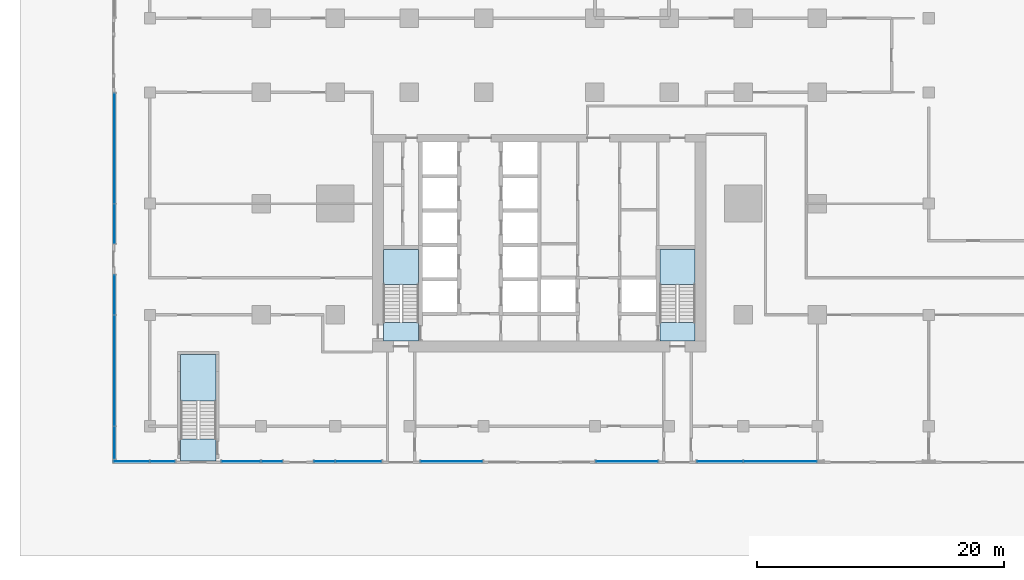
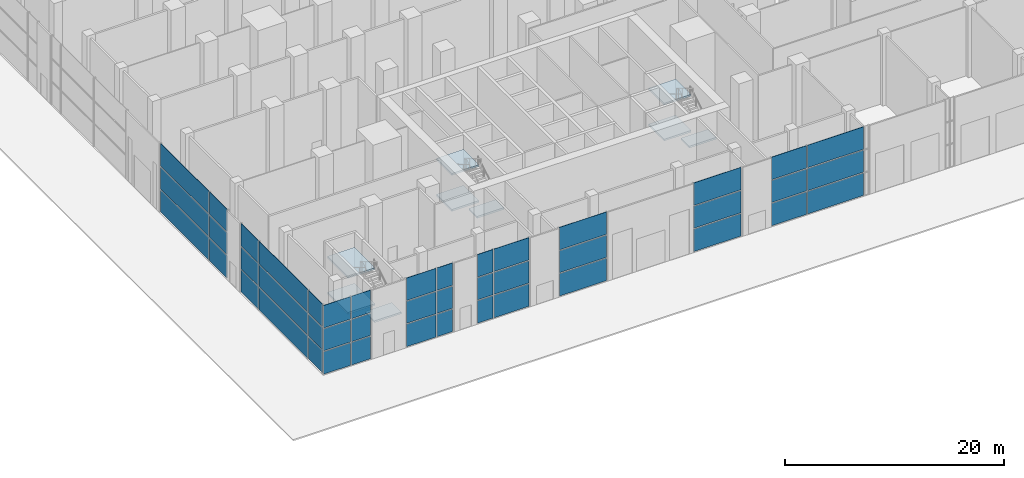
# One storey, part 10 of 29: 45 plates, 9 slabs, 11 elements without a shape of their own.
"""IFC4 building model written with IfcOpenShell, lengths in metres."""

from ifc_helpers import new_model, si_unit, direction, frame, origin, origin_2d, place, context, subcontext, project, spatial, polyline, rectangle, outline, extrude, material, layer, layer_set, type_object, element, aggregate, save


model = new_model("IFC4")

# Units and contexts
model_context = context("Model", 3, precision=1e-05, world=origin(), true_north=direction((0.0, 1.0)))
body_context = subcontext(model_context, "Body", "Model", "MODEL_VIEW")
ifc_project = project(units=[si_unit("LENGTHUNIT", "METRE"), si_unit("AREAUNIT", "SQUARE_METRE"), si_unit("VOLUMEUNIT", "CUBIC_METRE"), si_unit("PLANEANGLEUNIT", "RADIAN"), si_unit("MASSUNIT", "GRAM", prefix="KILO")], contexts=[model_context])

# Site, building, storey
site_placement = place(None, origin())
site = spatial("IfcSite", under=ifc_project, at=site_placement, CompositionType="ELEMENT")
building_placement = place(site_placement, origin())
building = spatial("IfcBuilding", under=site, at=building_placement, Name="Finial Court Residences", CompositionType="ELEMENT")
storey_placement = place(building_placement, origin())
storey = spatial("IfcBuildingStorey", under=building, at=storey_placement, Name="L00", CompositionType="ELEMENT", Elevation=0.0)

# Curtain wall, plates
ifc_material_1 = material(Name="Bronze anodised aluminium", Category="aluminium")
curtain_wall_type = type_object("IfcCurtainWallType", Name="Podium shopfront", PredefinedType="NOTDEFINED", material=ifc_material_1)
curtain_wall_1_placement = place(storey_placement, origin())
curtain_wall_1 = element("IfcCurtainWall", 1, at=curtain_wall_1_placement, inside=storey, type_object=curtain_wall_type, Name="E-L00-CW-S17", PredefinedType="NOTDEFINED")
ifc_material_2 = material(Name="Clear low-e glass", Category="glass")
ifc_layer_1 = layer(ifc_material_2, 0.0400390625)
ifc_layer_set_1 = layer_set([ifc_layer_1], Name="CW4 vision glass 40")
plate_type = type_object("IfcPlateType", Name="CW4 vision glass 40", PredefinedType="CURTAIN_PANEL", material=ifc_layer_set_1)
plate_1_placement = place(storey_placement, frame((-32.97509765625, -34.35009765625, 0.0), z_axis=(0.0, 0.0, 1.0), x_axis=(1.0, 0.0, 0.0)))
plate_1 = element("IfcPlate", 2, at=plate_1_placement, type_object=plate_type, Name="CW4 glass 1.1", PredefinedType="CURTAIN_PANEL", context=body_context, shape_type="SweptSolid", body=[
    extrude(rectangle(XDim=2.85009765625, YDim=0.0400390625, at=origin_2d()), origin(), (0.0, 0.0, 1.0), 2.5),
])
plate_2_placement = place(storey_placement, frame((-32.97509765625, -34.35009765625, 2.60009765625), z_axis=(0.0, 0.0, 1.0), x_axis=(1.0, 0.0, 0.0)))
plate_2 = element("IfcPlate", 3, at=plate_2_placement, type_object=plate_type, Name="CW4 glass 1.2", PredefinedType="CURTAIN_PANEL", context=body_context, shape_type="SweptSolid", body=[
    extrude(rectangle(XDim=2.85009765625, YDim=0.0400390625, at=origin_2d()), origin(), (0.0, 0.0, 1.0), 2.449951171875),
])
plate_3_placement = place(storey_placement, frame((-32.97509765625, -34.35009765625, 5.14990234375), z_axis=(0.0, 0.0, 1.0), x_axis=(1.0, 0.0, 0.0)))
plate_3 = element("IfcPlate", 4, at=plate_3_placement, type_object=plate_type, Name="CW4 glass 1.3", PredefinedType="CURTAIN_PANEL", context=body_context, shape_type="SweptSolid", body=[
    extrude(rectangle(XDim=2.85009765625, YDim=0.0400390625, at=origin_2d()), origin(), (0.0, 0.0, 1.0), 2.5),
])
plate_4_placement = place(storey_placement, frame((-30.46240234375, -34.35009765625, 0.0), z_axis=(0.0, 0.0, 1.0), x_axis=(1.0, 0.0, 0.0)))
plate_4 = element("IfcPlate", 5, at=plate_4_placement, type_object=plate_type, Name="CW4 glass 2.1", PredefinedType="CURTAIN_PANEL", context=body_context, shape_type="SweptSolid", body=[
    extrude(rectangle(XDim=1.97509765625, YDim=0.0400390625, at=origin_2d()), origin(), (0.0, 0.0, 1.0), 2.5),
])
plate_5_placement = place(storey_placement, frame((-30.46240234375, -34.35009765625, 2.60009765625), z_axis=(0.0, 0.0, 1.0), x_axis=(1.0, 0.0, 0.0)))
plate_5 = element("IfcPlate", 6, at=plate_5_placement, type_object=plate_type, Name="CW4 glass 2.2", PredefinedType="CURTAIN_PANEL", context=body_context, shape_type="SweptSolid", body=[
    extrude(rectangle(XDim=1.97509765625, YDim=0.0400390625, at=origin_2d()), origin(), (0.0, 0.0, 1.0), 2.449951171875),
])
plate_6_placement = place(storey_placement, frame((-30.46240234375, -34.35009765625, 5.14990234375), z_axis=(0.0, 0.0, 1.0), x_axis=(1.0, 0.0, 0.0)))
plate_6 = element("IfcPlate", 7, at=plate_6_placement, type_object=plate_type, Name="CW4 glass 2.3", PredefinedType="CURTAIN_PANEL", context=body_context, shape_type="SweptSolid", body=[
    extrude(rectangle(XDim=1.97509765625, YDim=0.0400390625, at=origin_2d()), origin(), (0.0, 0.0, 1.0), 2.5),
])
aggregate(curtain_wall_1, [plate_1, plate_2, plate_3, plate_4, plate_5, plate_6])

curtain_wall_2_placement = place(storey_placement, origin())
curtain_wall_2 = element("IfcCurtainWall", 8, at=curtain_wall_2_placement, inside=storey, type_object=curtain_wall_type, Name="E-L00-CW-S18", PredefinedType="NOTDEFINED")
plate_7_placement = place(storey_placement, frame((-24.112548828125, -34.35009765625, 0.0), z_axis=(0.0, 0.0, 1.0), x_axis=(1.0, 0.0, 0.0)))
plate_7 = element("IfcPlate", 9, at=plate_7_placement, type_object=plate_type, Name="CW4 glass 1.1", PredefinedType="CURTAIN_PANEL", context=body_context, shape_type="SweptSolid", body=[
    extrude(rectangle(XDim=3.125, YDim=0.0400390625, at=origin_2d()), origin(), (0.0, 0.0, 1.0), 2.5),
])
plate_8_placement = place(storey_placement, frame((-24.112548828125, -34.35009765625, 2.60009765625), z_axis=(0.0, 0.0, 1.0), x_axis=(1.0, 0.0, 0.0)))
plate_8 = element("IfcPlate", 10, at=plate_8_placement, type_object=plate_type, Name="CW4 glass 1.2", PredefinedType="CURTAIN_PANEL", context=body_context, shape_type="SweptSolid", body=[
    extrude(rectangle(XDim=3.125, YDim=0.0400390625, at=origin_2d()), origin(), (0.0, 0.0, 1.0), 2.449951171875),
])
plate_9_placement = place(storey_placement, frame((-24.112548828125, -34.35009765625, 5.14990234375), z_axis=(0.0, 0.0, 1.0), x_axis=(1.0, 0.0, 0.0)))
plate_9 = element("IfcPlate", 11, at=plate_9_placement, type_object=plate_type, Name="CW4 glass 1.3", PredefinedType="CURTAIN_PANEL", context=body_context, shape_type="SweptSolid", body=[
    extrude(rectangle(XDim=3.125, YDim=0.0400390625, at=origin_2d()), origin(), (0.0, 0.0, 1.0), 2.5),
])
plate_10_placement = place(storey_placement, frame((-21.625, -34.35009765625, 0.0), z_axis=(0.0, 0.0, 1.0), x_axis=(1.0, 0.0, 0.0)))
plate_10 = element("IfcPlate", 12, at=plate_10_placement, type_object=plate_type, Name="CW4 glass 2.1", PredefinedType="CURTAIN_PANEL", context=body_context, shape_type="SweptSolid", body=[
    extrude(rectangle(XDim=1.64990234375, YDim=0.0400390625, at=origin_2d()), origin(), (0.0, 0.0, 1.0), 2.5),
])
plate_11_placement = place(storey_placement, frame((-21.625, -34.35009765625, 2.60009765625), z_axis=(0.0, 0.0, 1.0), x_axis=(1.0, 0.0, 0.0)))
plate_11 = element("IfcPlate", 13, at=plate_11_placement, type_object=plate_type, Name="CW4 glass 2.2", PredefinedType="CURTAIN_PANEL", context=body_context, shape_type="SweptSolid", body=[
    extrude(rectangle(XDim=1.64990234375, YDim=0.0400390625, at=origin_2d()), origin(), (0.0, 0.0, 1.0), 2.449951171875),
])
plate_12_placement = place(storey_placement, frame((-21.625, -34.35009765625, 5.14990234375), z_axis=(0.0, 0.0, 1.0), x_axis=(1.0, 0.0, 0.0)))
plate_12 = element("IfcPlate", 14, at=plate_12_placement, type_object=plate_type, Name="CW4 glass 2.3", PredefinedType="CURTAIN_PANEL", context=body_context, shape_type="SweptSolid", body=[
    extrude(rectangle(XDim=1.64990234375, YDim=0.0400390625, at=origin_2d()), origin(), (0.0, 0.0, 1.0), 2.5),
])
aggregate(curtain_wall_2, [plate_7, plate_8, plate_9, plate_10, plate_11, plate_12])

curtain_wall_3_placement = place(storey_placement, origin())
curtain_wall_3 = element("IfcCurtainWall", 15, at=curtain_wall_3_placement, inside=storey, type_object=curtain_wall_type, Name="E-L00-CW-S19", PredefinedType="NOTDEFINED")
plate_13_placement = place(storey_placement, frame((-17.375, -34.35009765625, 0.0), z_axis=(0.0, 0.0, 1.0), x_axis=(1.0, 0.0, 0.0)))
plate_13 = element("IfcPlate", 16, at=plate_13_placement, type_object=plate_type, Name="CW4 glass 1.1", PredefinedType="CURTAIN_PANEL", context=body_context, shape_type="SweptSolid", body=[
    extrude(rectangle(XDim=1.64990234375, YDim=0.0400390625, at=origin_2d()), origin(), (0.0, 0.0, 1.0), 2.5),
])
plate_14_placement = place(storey_placement, frame((-17.375, -34.35009765625, 2.60009765625), z_axis=(0.0, 0.0, 1.0), x_axis=(1.0, 0.0, 0.0)))
plate_14 = element("IfcPlate", 17, at=plate_14_placement, type_object=plate_type, Name="CW4 glass 1.2", PredefinedType="CURTAIN_PANEL", context=body_context, shape_type="SweptSolid", body=[
    extrude(rectangle(XDim=1.64990234375, YDim=0.0400390625, at=origin_2d()), origin(), (0.0, 0.0, 1.0), 2.449951171875),
])
plate_15_placement = place(storey_placement, frame((-17.375, -34.35009765625, 5.14990234375), z_axis=(0.0, 0.0, 1.0), x_axis=(1.0, 0.0, 0.0)))
plate_15 = element("IfcPlate", 18, at=plate_15_placement, type_object=plate_type, Name="CW4 glass 1.3", PredefinedType="CURTAIN_PANEL", context=body_context, shape_type="SweptSolid", body=[
    extrude(rectangle(XDim=1.64990234375, YDim=0.0400390625, at=origin_2d()), origin(), (0.0, 0.0, 1.0), 2.5),
])
plate_16_placement = place(storey_placement, frame((-14.612548828125, -34.35009765625, 0.0), z_axis=(0.0, 0.0, 1.0), x_axis=(1.0, 0.0, 0.0)))
plate_16 = element("IfcPlate", 19, at=plate_16_placement, type_object=plate_type, Name="CW4 glass 2.1", PredefinedType="CURTAIN_PANEL", context=body_context, shape_type="SweptSolid", body=[
    extrude(rectangle(XDim=3.675048828125, YDim=0.0400390625, at=origin_2d()), origin(), (0.0, 0.0, 1.0), 2.5),
])
plate_17_placement = place(storey_placement, frame((-14.612548828125, -34.35009765625, 2.60009765625), z_axis=(0.0, 0.0, 1.0), x_axis=(1.0, 0.0, 0.0)))
plate_17 = element("IfcPlate", 20, at=plate_17_placement, type_object=plate_type, Name="CW4 glass 2.2", PredefinedType="CURTAIN_PANEL", context=body_context, shape_type="SweptSolid", body=[
    extrude(rectangle(XDim=3.675048828125, YDim=0.0400390625, at=origin_2d()), origin(), (0.0, 0.0, 1.0), 2.449951171875),
])
plate_18_placement = place(storey_placement, frame((-14.612548828125, -34.35009765625, 5.14990234375), z_axis=(0.0, 0.0, 1.0), x_axis=(1.0, 0.0, 0.0)))
plate_18 = element("IfcPlate", 21, at=plate_18_placement, type_object=plate_type, Name="CW4 glass 2.3", PredefinedType="CURTAIN_PANEL", context=body_context, shape_type="SweptSolid", body=[
    extrude(rectangle(XDim=3.675048828125, YDim=0.0400390625, at=origin_2d()), origin(), (0.0, 0.0, 1.0), 2.5),
])
aggregate(curtain_wall_3, [plate_13, plate_14, plate_15, plate_16, plate_17, plate_18])

curtain_wall_4_placement = place(storey_placement, origin())
curtain_wall_4 = element("IfcCurtainWall", 22, at=curtain_wall_4_placement, inside=storey, type_object=curtain_wall_type, Name="E-L00-CW-S20", PredefinedType="NOTDEFINED")
plate_19_placement = place(storey_placement, frame((-7.08740234375, -34.35009765625, 0.0), z_axis=(0.0, 0.0, 1.0), x_axis=(1.0, 0.0, 0.0)))
plate_19 = element("IfcPlate", 23, at=plate_19_placement, type_object=plate_type, Name="CW4 glass 1.1", PredefinedType="CURTAIN_PANEL", context=body_context, shape_type="SweptSolid", body=[
    extrude(rectangle(XDim=4.97509765625, YDim=0.0400390625, at=origin_2d()), origin(), (0.0, 0.0, 1.0), 2.5),
])
plate_20_placement = place(storey_placement, frame((-7.08740234375, -34.35009765625, 2.60009765625), z_axis=(0.0, 0.0, 1.0), x_axis=(1.0, 0.0, 0.0)))
plate_20 = element("IfcPlate", 24, at=plate_20_placement, type_object=plate_type, Name="CW4 glass 1.2", PredefinedType="CURTAIN_PANEL", context=body_context, shape_type="SweptSolid", body=[
    extrude(rectangle(XDim=4.97509765625, YDim=0.0400390625, at=origin_2d()), origin(), (0.0, 0.0, 1.0), 2.449951171875),
])
plate_21_placement = place(storey_placement, frame((-7.08740234375, -34.35009765625, 5.14990234375), z_axis=(0.0, 0.0, 1.0), x_axis=(1.0, 0.0, 0.0)))
plate_21 = element("IfcPlate", 25, at=plate_21_placement, type_object=plate_type, Name="CW4 glass 1.3", PredefinedType="CURTAIN_PANEL", context=body_context, shape_type="SweptSolid", body=[
    extrude(rectangle(XDim=4.97509765625, YDim=0.0400390625, at=origin_2d()), origin(), (0.0, 0.0, 1.0), 2.5),
])
aggregate(curtain_wall_4, [plate_19, plate_20, plate_21])

curtain_wall_5_placement = place(storey_placement, origin())
curtain_wall_5 = element("IfcCurtainWall", 26, at=curtain_wall_5_placement, inside=storey, type_object=curtain_wall_type, Name="E-L00-CW-S21", PredefinedType="NOTDEFINED")
plate_22_placement = place(storey_placement, frame((7.08740234375, -34.35009765625, 0.0), z_axis=(0.0, 0.0, 1.0), x_axis=(1.0, 0.0, 0.0)))
plate_22 = element("IfcPlate", 27, at=plate_22_placement, type_object=plate_type, Name="CW4 glass 1.1", PredefinedType="CURTAIN_PANEL", context=body_context, shape_type="SweptSolid", body=[
    extrude(rectangle(XDim=4.97509765625, YDim=0.0400390625, at=origin_2d()), origin(), (0.0, 0.0, 1.0), 2.5),
])
plate_23_placement = place(storey_placement, frame((7.08740234375, -34.35009765625, 2.60009765625), z_axis=(0.0, 0.0, 1.0), x_axis=(1.0, 0.0, 0.0)))
plate_23 = element("IfcPlate", 28, at=plate_23_placement, type_object=plate_type, Name="CW4 glass 1.2", PredefinedType="CURTAIN_PANEL", context=body_context, shape_type="SweptSolid", body=[
    extrude(rectangle(XDim=4.97509765625, YDim=0.0400390625, at=origin_2d()), origin(), (0.0, 0.0, 1.0), 2.449951171875),
])
plate_24_placement = place(storey_placement, frame((7.08740234375, -34.35009765625, 5.14990234375), z_axis=(0.0, 0.0, 1.0), x_axis=(1.0, 0.0, 0.0)))
plate_24 = element("IfcPlate", 29, at=plate_24_placement, type_object=plate_type, Name="CW4 glass 1.3", PredefinedType="CURTAIN_PANEL", context=body_context, shape_type="SweptSolid", body=[
    extrude(rectangle(XDim=4.97509765625, YDim=0.0400390625, at=origin_2d()), origin(), (0.0, 0.0, 1.0), 2.5),
])
aggregate(curtain_wall_5, [plate_22, plate_23, plate_24])

curtain_wall_6_placement = place(storey_placement, origin())
curtain_wall_6 = element("IfcCurtainWall", 30, at=curtain_wall_6_placement, inside=storey, type_object=curtain_wall_type, Name="E-L00-CW-S22", PredefinedType="NOTDEFINED")
plate_25_placement = place(storey_placement, frame((14.612548828125, -34.35009765625, 0.0), z_axis=(0.0, 0.0, 1.0), x_axis=(1.0, 0.0, 0.0)))
plate_25 = element("IfcPlate", 31, at=plate_25_placement, type_object=plate_type, Name="CW4 glass 1.1", PredefinedType="CURTAIN_PANEL", context=body_context, shape_type="SweptSolid", body=[
    extrude(rectangle(XDim=3.675048828125, YDim=0.0400390625, at=origin_2d()), origin(), (0.0, 0.0, 1.0), 2.5),
])
plate_26_placement = place(storey_placement, frame((14.612548828125, -34.35009765625, 2.60009765625), z_axis=(0.0, 0.0, 1.0), x_axis=(1.0, 0.0, 0.0)))
plate_26 = element("IfcPlate", 32, at=plate_26_placement, type_object=plate_type, Name="CW4 glass 1.2", PredefinedType="CURTAIN_PANEL", context=body_context, shape_type="SweptSolid", body=[
    extrude(rectangle(XDim=3.675048828125, YDim=0.0400390625, at=origin_2d()), origin(), (0.0, 0.0, 1.0), 2.449951171875),
])
plate_27_placement = place(storey_placement, frame((14.612548828125, -34.35009765625, 5.14990234375), z_axis=(0.0, 0.0, 1.0), x_axis=(1.0, 0.0, 0.0)))
plate_27 = element("IfcPlate", 33, at=plate_27_placement, type_object=plate_type, Name="CW4 glass 1.3", PredefinedType="CURTAIN_PANEL", context=body_context, shape_type="SweptSolid", body=[
    extrude(rectangle(XDim=3.675048828125, YDim=0.0400390625, at=origin_2d()), origin(), (0.0, 0.0, 1.0), 2.5),
])
plate_28_placement = place(storey_placement, frame((19.5, -34.35009765625, 0.0), z_axis=(0.0, 0.0, 1.0), x_axis=(1.0, 0.0, 0.0)))
plate_28 = element("IfcPlate", 34, at=plate_28_placement, type_object=plate_type, Name="CW4 glass 2.1", PredefinedType="CURTAIN_PANEL", context=body_context, shape_type="SweptSolid", body=[
    extrude(rectangle(XDim=5.89990234375, YDim=0.0400390625, at=origin_2d()), origin(), (0.0, 0.0, 1.0), 2.5),
])
plate_29_placement = place(storey_placement, frame((19.5, -34.35009765625, 2.60009765625), z_axis=(0.0, 0.0, 1.0), x_axis=(1.0, 0.0, 0.0)))
plate_29 = element("IfcPlate", 35, at=plate_29_placement, type_object=plate_type, Name="CW4 glass 2.2", PredefinedType="CURTAIN_PANEL", context=body_context, shape_type="SweptSolid", body=[
    extrude(rectangle(XDim=5.89990234375, YDim=0.0400390625, at=origin_2d()), origin(), (0.0, 0.0, 1.0), 2.449951171875),
])
plate_30_placement = place(storey_placement, frame((19.5, -34.35009765625, 5.14990234375), z_axis=(0.0, 0.0, 1.0), x_axis=(1.0, 0.0, 0.0)))
plate_30 = element("IfcPlate", 36, at=plate_30_placement, type_object=plate_type, Name="CW4 glass 2.3", PredefinedType="CURTAIN_PANEL", context=body_context, shape_type="SweptSolid", body=[
    extrude(rectangle(XDim=5.89990234375, YDim=0.0400390625, at=origin_2d()), origin(), (0.0, 0.0, 1.0), 2.5),
])
aggregate(curtain_wall_6, [plate_25, plate_26, plate_27, plate_28, plate_29, plate_30])

curtain_wall_7_placement = place(storey_placement, origin())
curtain_wall_7 = element("IfcCurtainWall", 37, at=curtain_wall_7_placement, inside=storey, type_object=curtain_wall_type, Name="E-L00-CW-W27", PredefinedType="NOTDEFINED")
plate_31_placement = place(storey_placement, frame((-34.35009765625, -32.83740234375, 0.0), z_axis=(0.0, 0.0, 1.0), x_axis=(0.0, 1.0, 0.0)))
plate_31 = element("IfcPlate", 38, at=plate_31_placement, type_object=plate_type, Name="CW4 glass 1.1", PredefinedType="CURTAIN_PANEL", context=body_context, shape_type="SweptSolid", body=[
    extrude(rectangle(XDim=2.574951171875, YDim=0.0400390625, at=origin_2d()), origin(), (0.0, 0.0, 1.0), 2.5),
])
plate_32_placement = place(storey_placement, frame((-34.35009765625, -32.83740234375, 2.60009765625), z_axis=(0.0, 0.0, 1.0), x_axis=(0.0, 1.0, 0.0)))
plate_32 = element("IfcPlate", 39, at=plate_32_placement, type_object=plate_type, Name="CW4 glass 1.2", PredefinedType="CURTAIN_PANEL", context=body_context, shape_type="SweptSolid", body=[
    extrude(rectangle(XDim=2.574951171875, YDim=0.0400390625, at=origin_2d()), origin(), (0.0, 0.0, 1.0), 2.449951171875),
])
plate_33_placement = place(storey_placement, frame((-34.35009765625, -32.83740234375, 5.14990234375), z_axis=(0.0, 0.0, 1.0), x_axis=(0.0, 1.0, 0.0)))
plate_33 = element("IfcPlate", 40, at=plate_33_placement, type_object=plate_type, Name="CW4 glass 1.3", PredefinedType="CURTAIN_PANEL", context=body_context, shape_type="SweptSolid", body=[
    extrude(rectangle(XDim=2.574951171875, YDim=0.0400390625, at=origin_2d()), origin(), (0.0, 0.0, 1.0), 2.5),
])
plate_34_placement = place(storey_placement, frame((-34.35009765625, -27.0, 0.0), z_axis=(0.0, 0.0, 1.0), x_axis=(0.0, 1.0, 0.0)))
plate_34 = element("IfcPlate", 41, at=plate_34_placement, type_object=plate_type, Name="CW4 glass 2.1", PredefinedType="CURTAIN_PANEL", context=body_context, shape_type="SweptSolid", body=[
    extrude(rectangle(XDim=8.89990234375, YDim=0.0400390625, at=origin_2d()), origin(), (0.0, 0.0, 1.0), 2.5),
])
plate_35_placement = place(storey_placement, frame((-34.35009765625, -27.0, 2.60009765625), z_axis=(0.0, 0.0, 1.0), x_axis=(0.0, 1.0, 0.0)))
plate_35 = element("IfcPlate", 42, at=plate_35_placement, type_object=plate_type, Name="CW4 glass 2.2", PredefinedType="CURTAIN_PANEL", context=body_context, shape_type="SweptSolid", body=[
    extrude(rectangle(XDim=8.89990234375, YDim=0.0400390625, at=origin_2d()), origin(), (0.0, 0.0, 1.0), 2.449951171875),
])
plate_36_placement = place(storey_placement, frame((-34.35009765625, -27.0, 5.14990234375), z_axis=(0.0, 0.0, 1.0), x_axis=(0.0, 1.0, 0.0)))
plate_36 = element("IfcPlate", 43, at=plate_36_placement, type_object=plate_type, Name="CW4 glass 2.3", PredefinedType="CURTAIN_PANEL", context=body_context, shape_type="SweptSolid", body=[
    extrude(rectangle(XDim=8.89990234375, YDim=0.0400390625, at=origin_2d()), origin(), (0.0, 0.0, 1.0), 2.5),
])
plate_37_placement = place(storey_placement, frame((-34.35009765625, -20.875, 0.0), z_axis=(0.0, 0.0, 1.0), x_axis=(0.0, 1.0, 0.0)))
plate_37 = element("IfcPlate", 44, at=plate_37_placement, type_object=plate_type, Name="CW4 glass 3.1", PredefinedType="CURTAIN_PANEL", context=body_context, shape_type="SweptSolid", body=[
    extrude(rectangle(XDim=3.14990234375, YDim=0.0400390625, at=origin_2d()), origin(), (0.0, 0.0, 1.0), 2.5),
])
plate_38_placement = place(storey_placement, frame((-34.35009765625, -20.875, 2.60009765625), z_axis=(0.0, 0.0, 1.0), x_axis=(0.0, 1.0, 0.0)))
plate_38 = element("IfcPlate", 45, at=plate_38_placement, type_object=plate_type, Name="CW4 glass 3.2", PredefinedType="CURTAIN_PANEL", context=body_context, shape_type="SweptSolid", body=[
    extrude(rectangle(XDim=3.14990234375, YDim=0.0400390625, at=origin_2d()), origin(), (0.0, 0.0, 1.0), 2.449951171875),
])
plate_39_placement = place(storey_placement, frame((-34.35009765625, -20.875, 5.14990234375), z_axis=(0.0, 0.0, 1.0), x_axis=(0.0, 1.0, 0.0)))
plate_39 = element("IfcPlate", 46, at=plate_39_placement, type_object=plate_type, Name="CW4 glass 3.3", PredefinedType="CURTAIN_PANEL", context=body_context, shape_type="SweptSolid", body=[
    extrude(rectangle(XDim=3.14990234375, YDim=0.0400390625, at=origin_2d()), origin(), (0.0, 0.0, 1.0), 2.5),
])
aggregate(curtain_wall_7, [plate_31, plate_32, plate_33, plate_34, plate_35, plate_36, plate_37, plate_38, plate_39])

curtain_wall_8_placement = place(storey_placement, origin())
curtain_wall_8 = element("IfcCurtainWall", 47, at=curtain_wall_8_placement, inside=storey, type_object=curtain_wall_type, Name="E-L00-CW-W28", PredefinedType="NOTDEFINED")
plate_40_placement = place(storey_placement, frame((-34.35009765625, -15.125, 0.0), z_axis=(0.0, 0.0, 1.0), x_axis=(0.0, 1.0, 0.0)))
plate_40 = element("IfcPlate", 48, at=plate_40_placement, type_object=plate_type, Name="CW4 glass 1.1", PredefinedType="CURTAIN_PANEL", context=body_context, shape_type="SweptSolid", body=[
    extrude(rectangle(XDim=3.14990234375, YDim=0.0400390625, at=origin_2d()), origin(), (0.0, 0.0, 1.0), 2.5),
])
plate_41_placement = place(storey_placement, frame((-34.35009765625, -15.125, 2.60009765625), z_axis=(0.0, 0.0, 1.0), x_axis=(0.0, 1.0, 0.0)))
plate_41 = element("IfcPlate", 49, at=plate_41_placement, type_object=plate_type, Name="CW4 glass 1.2", PredefinedType="CURTAIN_PANEL", context=body_context, shape_type="SweptSolid", body=[
    extrude(rectangle(XDim=3.14990234375, YDim=0.0400390625, at=origin_2d()), origin(), (0.0, 0.0, 1.0), 2.449951171875),
])
plate_42_placement = place(storey_placement, frame((-34.35009765625, -15.125, 5.14990234375), z_axis=(0.0, 0.0, 1.0), x_axis=(0.0, 1.0, 0.0)))
plate_42 = element("IfcPlate", 50, at=plate_42_placement, type_object=plate_type, Name="CW4 glass 1.3", PredefinedType="CURTAIN_PANEL", context=body_context, shape_type="SweptSolid", body=[
    extrude(rectangle(XDim=3.14990234375, YDim=0.0400390625, at=origin_2d()), origin(), (0.0, 0.0, 1.0), 2.5),
])
plate_43_placement = place(storey_placement, frame((-34.35009765625, -9.02490234375, 0.0), z_axis=(0.0, 0.0, 1.0), x_axis=(0.0, 1.0, 0.0)))
plate_43 = element("IfcPlate", 51, at=plate_43_placement, type_object=plate_type, Name="CW4 glass 2.1", PredefinedType="CURTAIN_PANEL", context=body_context, shape_type="SweptSolid", body=[
    extrude(rectangle(XDim=8.85009765625, YDim=0.0400390625, at=origin_2d()), origin(), (0.0, 0.0, 1.0), 2.5),
])
plate_44_placement = place(storey_placement, frame((-34.35009765625, -9.02490234375, 2.60009765625), z_axis=(0.0, 0.0, 1.0), x_axis=(0.0, 1.0, 0.0)))
plate_44 = element("IfcPlate", 52, at=plate_44_placement, type_object=plate_type, Name="CW4 glass 2.2", PredefinedType="CURTAIN_PANEL", context=body_context, shape_type="SweptSolid", body=[
    extrude(rectangle(XDim=8.85009765625, YDim=0.0400390625, at=origin_2d()), origin(), (0.0, 0.0, 1.0), 2.449951171875),
])
plate_45_placement = place(storey_placement, frame((-34.35009765625, -9.02490234375, 5.14990234375), z_axis=(0.0, 0.0, 1.0), x_axis=(0.0, 1.0, 0.0)))
plate_45 = element("IfcPlate", 53, at=plate_45_placement, type_object=plate_type, Name="CW4 glass 2.3", PredefinedType="CURTAIN_PANEL", context=body_context, shape_type="SweptSolid", body=[
    extrude(rectangle(XDim=8.85009765625, YDim=0.0400390625, at=origin_2d()), origin(), (0.0, 0.0, 1.0), 2.5),
])
aggregate(curtain_wall_8, [plate_40, plate_41, plate_42, plate_43, plate_44, plate_45])

# Stair, slabs
ifc_material_3 = material(Name="Concrete C50/60", Category="concrete")
stair_type = type_object("IfcStairType", Name="Exit stair 48 risers of 166.7 mm", PredefinedType="HALF_TURN_STAIR", material=ifc_material_3)
stair_1_placement = place(storey_placement, origin())
stair_1 = element("IfcStair", 54, at=stair_1_placement, inside=storey, type_object=stair_type, Name="L00 Exit stair ST-1", PredefinedType="HALF_TURN_STAIR")
ifc_layer_2 = layer(ifc_material_3, 0.199951171875)
ifc_layer_set_2 = layer_set([ifc_layer_2], Name="Exit stair landing")
slab_type = type_object("IfcSlabType", Name="Exit stair landing", PredefinedType="LANDING", material=ifc_layer_set_2)
slab_1_placement = place(storey_placement, frame((0.0, 0.0, 1.800048828125)))
slab_1 = element("IfcSlab", 55, at=slab_1_placement, type_object=slab_type, Name="ST-1 landing 1", PredefinedType="LANDING", context=body_context, shape_type="SweptSolid", body=[
    extrude(outline(polyline([(-9.75, -20.02001953125), (-9.75, -17.199951171875), (-12.60009765625, -17.199951171875), (-12.60009765625, -20.02001953125), (-9.75, -20.02001953125)])), origin(), (0.0, 0.0, 1.0), 0.199951171875),
])
slab_2_placement = place(storey_placement, frame((0.0, 0.0, 3.800048828125)))
slab_2 = element("IfcSlab", 56, at=slab_2_placement, type_object=slab_type, Name="ST-1 landing 2", PredefinedType="LANDING", context=body_context, shape_type="SweptSolid", body=[
    extrude(outline(polyline([(-9.75, -24.60009765625), (-9.75, -23.10009765625), (-12.60009765625, -23.10009765625), (-12.60009765625, -24.60009765625), (-9.75, -24.60009765625)])), origin(), (0.0, 0.0, 1.0), 0.199951171875),
])
slab_3_placement = place(storey_placement, frame((0.0, 0.0, 5.800048828125)))
slab_3 = element("IfcSlab", 57, at=slab_3_placement, type_object=slab_type, Name="ST-1 landing 3", PredefinedType="LANDING", context=body_context, shape_type="SweptSolid", body=[
    extrude(outline(polyline([(-9.75, -20.02001953125), (-9.75, -17.199951171875), (-12.60009765625, -17.199951171875), (-12.60009765625, -20.02001953125), (-9.75, -20.02001953125)])), origin(), (0.0, 0.0, 1.0), 0.199951171875),
])
aggregate(stair_1, [slab_1, slab_2, slab_3])

stair_2_placement = place(storey_placement, origin())
stair_2 = element("IfcStair", 58, at=stair_2_placement, inside=storey, type_object=stair_type, Name="L00 Exit stair ST-2", PredefinedType="HALF_TURN_STAIR")
slab_4_placement = place(storey_placement, frame((0.0, 0.0, 1.800048828125)))
slab_4 = element("IfcSlab", 59, at=slab_4_placement, type_object=slab_type, Name="ST-2 landing 1", PredefinedType="LANDING", context=body_context, shape_type="SweptSolid", body=[
    extrude(outline(polyline([(12.60009765625, -20.02001953125), (12.60009765625, -17.199951171875), (9.75, -17.199951171875), (9.75, -20.02001953125), (12.60009765625, -20.02001953125)])), origin(), (0.0, 0.0, 1.0), 0.199951171875),
])
slab_5_placement = place(storey_placement, frame((0.0, 0.0, 3.800048828125)))
slab_5 = element("IfcSlab", 60, at=slab_5_placement, type_object=slab_type, Name="ST-2 landing 2", PredefinedType="LANDING", context=body_context, shape_type="SweptSolid", body=[
    extrude(outline(polyline([(12.60009765625, -24.60009765625), (12.60009765625, -23.10009765625), (9.75, -23.10009765625), (9.75, -24.60009765625), (12.60009765625, -24.60009765625)])), origin(), (0.0, 0.0, 1.0), 0.199951171875),
])
slab_6_placement = place(storey_placement, frame((0.0, 0.0, 5.800048828125)))
slab_6 = element("IfcSlab", 61, at=slab_6_placement, type_object=slab_type, Name="ST-2 landing 3", PredefinedType="LANDING", context=body_context, shape_type="SweptSolid", body=[
    extrude(outline(polyline([(12.60009765625, -20.02001953125), (12.60009765625, -17.199951171875), (9.75, -17.199951171875), (9.75, -20.02001953125), (12.60009765625, -20.02001953125)])), origin(), (0.0, 0.0, 1.0), 0.199951171875),
])
aggregate(stair_2, [slab_4, slab_5, slab_6])

stair_3_placement = place(storey_placement, origin())
stair_3 = element("IfcStair", 62, at=stair_3_placement, inside=storey, type_object=stair_type, Name="L00 Exit Stair 4", PredefinedType="HALF_TURN_STAIR")
slab_7_placement = place(storey_placement, frame((0.0, 0.0, 1.800048828125)))
slab_7 = element("IfcSlab", 63, at=slab_7_placement, type_object=slab_type, Name="ST-4 landing 1", PredefinedType="LANDING", context=body_context, shape_type="SweptSolid", body=[
    extrude(outline(polyline([(-26.14990234375, -29.469970703125), (-26.14990234375, -25.719970703125), (-29.0, -25.719970703125), (-29.0, -29.469970703125), (-26.14990234375, -29.469970703125)])), origin(), (0.0, 0.0, 1.0), 0.199951171875),
])
slab_8_placement = place(storey_placement, frame((0.0, 0.0, 3.800048828125)))
slab_8 = element("IfcSlab", 64, at=slab_8_placement, type_object=slab_type, Name="ST-4 landing 2", PredefinedType="LANDING", context=body_context, shape_type="SweptSolid", body=[
    extrude(outline(polyline([(-26.14990234375, -34.300048828125), (-26.14990234375, -32.550048828125), (-29.0, -32.550048828125), (-29.0, -34.300048828125), (-26.14990234375, -34.300048828125)])), origin(), (0.0, 0.0, 1.0), 0.199951171875),
])
slab_9_placement = place(storey_placement, frame((0.0, 0.0, 5.800048828125)))
slab_9 = element("IfcSlab", 65, at=slab_9_placement, type_object=slab_type, Name="ST-4 landing 3", PredefinedType="LANDING", context=body_context, shape_type="SweptSolid", body=[
    extrude(outline(polyline([(-26.14990234375, -29.469970703125), (-26.14990234375, -25.719970703125), (-29.0, -25.719970703125), (-29.0, -29.469970703125), (-26.14990234375, -29.469970703125)])), origin(), (0.0, 0.0, 1.0), 0.199951171875),
])
aggregate(stair_3, [slab_7, slab_8, slab_9])

save(model, "model.ifc")
